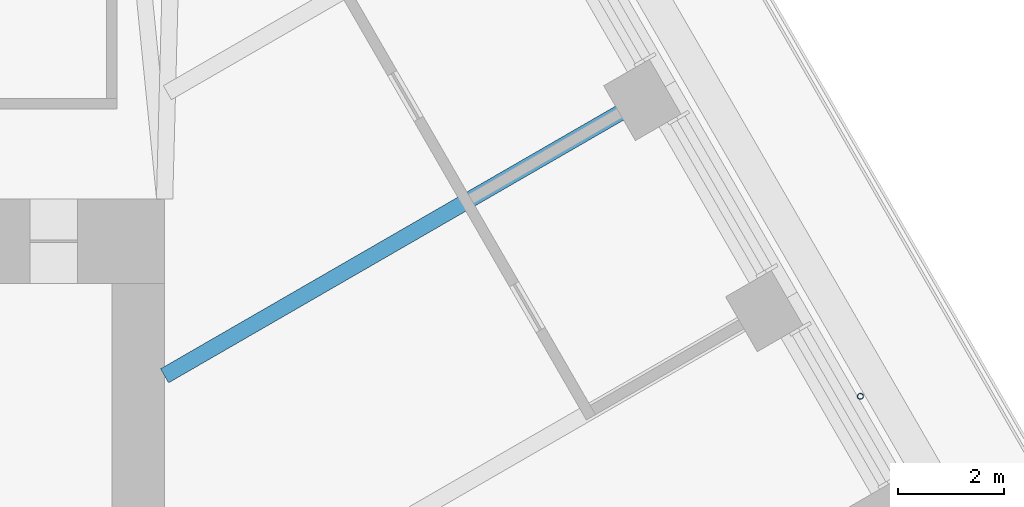
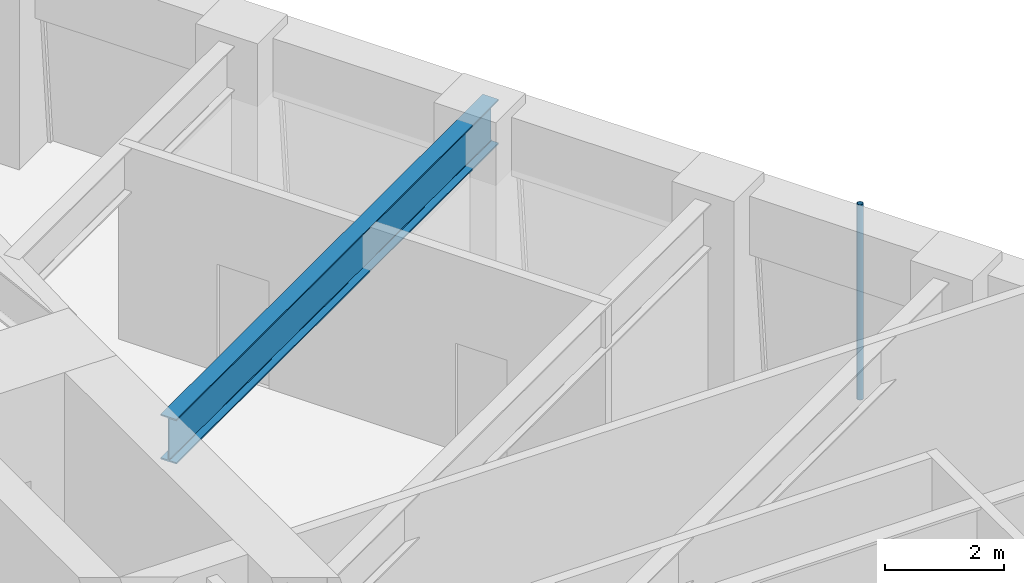
# One storey, part 10 of 20: 1 beam, 1 member.
"""IFC4 building model written with IfcOpenShell, lengths in metres."""

from ifc_helpers import new_model, si_unit, direction, frame, origin, origin_2d, place, context, subcontext, project, spatial, hollow_circle, i_section, extrude, material, material_profile, profile_set, type_object, element, save


model = new_model("IFC4")

# Units and contexts
model_context = context("Model", 3, precision=1e-05, world=origin(), true_north=direction((0.0, 1.0)))
body_context = subcontext(model_context, "Body", "Model", "MODEL_VIEW")
ifc_project = project(units=[si_unit("LENGTHUNIT", "METRE"), si_unit("AREAUNIT", "SQUARE_METRE"), si_unit("VOLUMEUNIT", "CUBIC_METRE"), si_unit("PLANEANGLEUNIT", "RADIAN"), si_unit("MASSUNIT", "GRAM", prefix="KILO")], contexts=[model_context])

# Site, building, storey
site_placement = place(None, origin())
site = spatial("IfcSite", under=ifc_project, at=site_placement, CompositionType="ELEMENT")
building_placement = place(site_placement, origin())
building = spatial("IfcBuilding", under=site, at=building_placement, Name="Tarfa Lantern Tower", CompositionType="ELEMENT")
storey_placement = place(building_placement, frame((0.0, 0.0, 274.300048828125)))
storey = spatial("IfcBuildingStorey", under=building, at=storey_placement, Name="L62", CompositionType="ELEMENT", Elevation=274.300048828125)

# Member
ifc_material_1 = material(Name="Steel S355", Category="steel")
ifc_material_profile_1 = material_profile(ifc_material_1, hollow_circle(Radius=0.05712890625, WallThickness=0.00634765625, at=origin_2d()), Name="CHS114.3x6.3")
ifc_profile_set_1 = profile_set([ifc_material_profile_1], Name="Steel S355")
member_type = type_object("IfcMemberType", Name="TR1 GREEN WALL TRELLIS CHS114.3x6.3", PredefinedType="USERDEFINED", material=ifc_profile_set_1)
member_placement = place(storey_placement, frame((28.682861328125, 8.56005859375, 0.0), z_axis=(0.0, 0.0, 1.0), x_axis=(1.0, 0.0, 0.0)))
element("IfcMember", 1, at=member_placement, inside=storey, type_object=member_type, Name="Trellis post NE 1", ObjectType="TRELLIS", PredefinedType="USERDEFINED", context=body_context, shape_type="SweptSolid", body=[
    extrude(hollow_circle(Radius=0.05712890625, WallThickness=0.00634765625, at=origin_2d()), origin(), (0.0, 0.0, 1.0), 4.0),
])

# Beam
ifc_material_2 = material(Name="Steel S460M", Category="steel")
ifc_material_profile_2 = material_profile(ifc_material_2, i_section(OverallWidth=0.305419921875, OverallDepth=0.91845703125, WebThickness=0.017333984375, FlangeThickness=0.02783203125, FilletRadius=0.01904296875, at=origin_2d()), Name="UB914x305x253")
ifc_profile_set_2 = profile_set([ifc_material_profile_2], Name="Steel S460M")
beam_type = type_object("IfcBeamType", Name="UB914x305x253", PredefinedType="BEAM", material=ifc_profile_set_2)
beam_placement = place(storey_placement, frame((24.872314453125, 14.360107421875, 3.540771484375), z_axis=(-0.8660244219, -0.500001700669, 0.0), x_axis=(0.500001700669, -0.8660244219, 0.0)))
element("IfcBeam", 2, at=beam_placement, inside=storey, type_object=beam_type, Name="Floor beam NE3", PredefinedType="BEAM", context=body_context, shape_type="SweptSolid", body=[
    extrude(i_section(OverallWidth=0.305419921875, OverallDepth=0.91845703125, WebThickness=0.017333984375, FlangeThickness=0.02783203125, FilletRadius=0.01904296875, at=origin_2d()), origin(), (0.0, 0.0, 1.0), 10.822265625),
])

save(model, "model.ifc")
